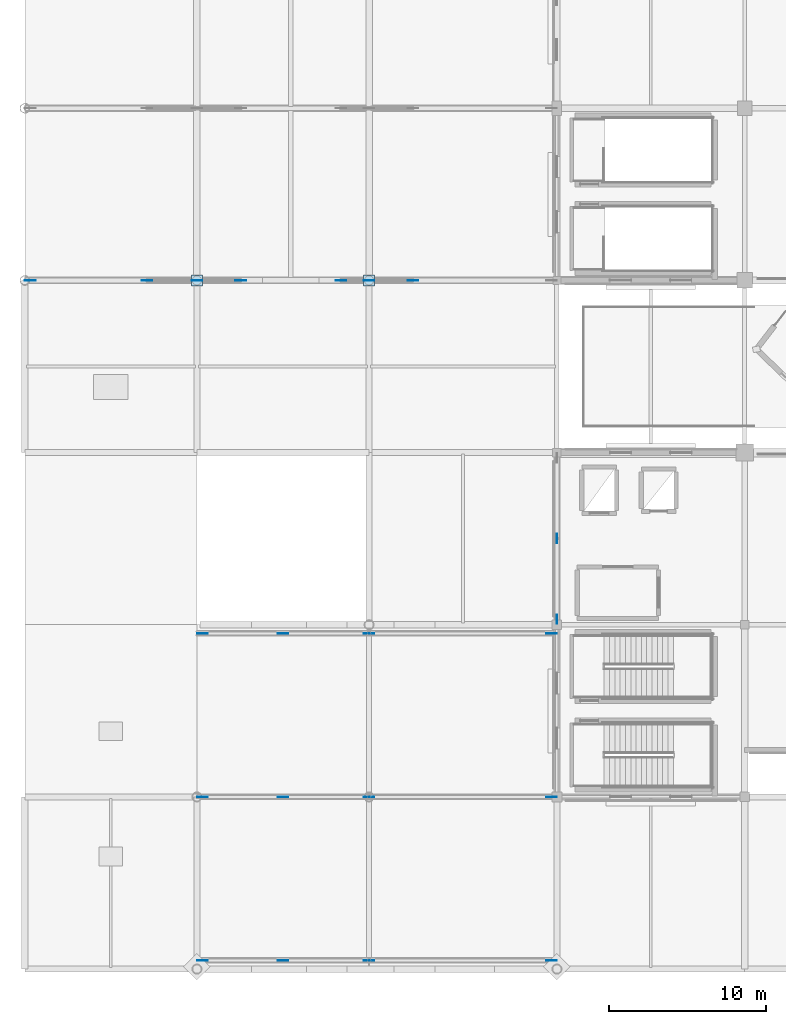
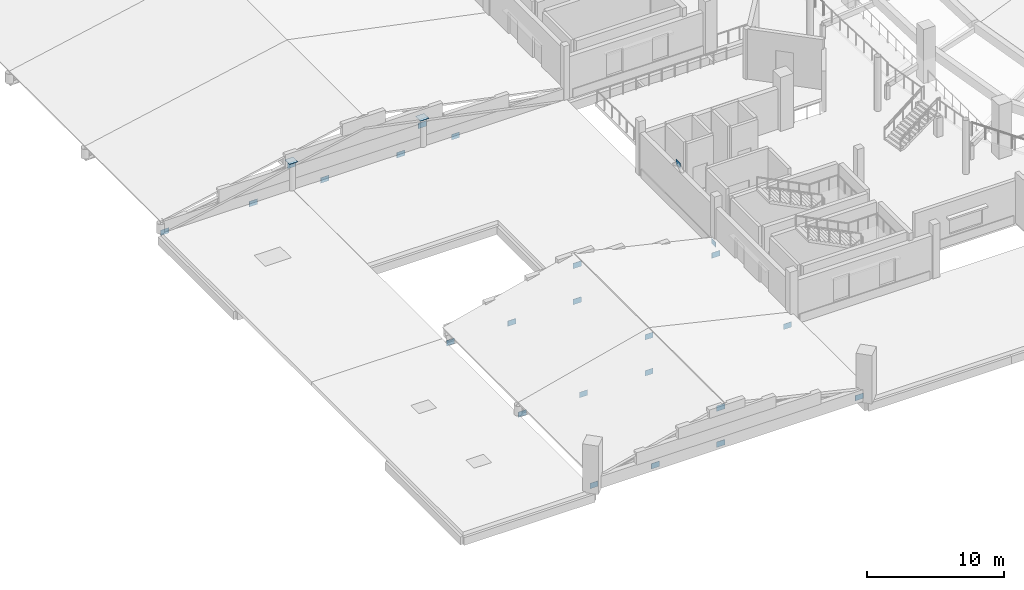
# One storey, part 38 of 77: 26 plates.
"""IFC4 building model written with IfcOpenShell, lengths in metres."""

from ifc_helpers import new_model, si_unit, direction, frame, origin, origin_2d, place, context, subcontext, project, spatial, rectangle, extrude, material, layer, layer_set, type_object, element, save


model = new_model("IFC4")

# Units and contexts
model_context = context("Model", 3, precision=1e-05, world=origin(), true_north=direction((0.0, 1.0)))
body_context = subcontext(model_context, "Body", "Model", "MODEL_VIEW")
ifc_project = project(units=[si_unit("LENGTHUNIT", "METRE"), si_unit("AREAUNIT", "SQUARE_METRE"), si_unit("VOLUMEUNIT", "CUBIC_METRE"), si_unit("PLANEANGLEUNIT", "RADIAN"), si_unit("MASSUNIT", "GRAM", prefix="KILO")], contexts=[model_context])

# Site, building, storey
site_placement = place(None, origin())
site = spatial("IfcSite", under=ifc_project, at=site_placement, CompositionType="ELEMENT")
building_placement = place(site_placement, origin())
building = spatial("IfcBuilding", under=site, at=building_placement, Name="Luwafu Chhajja Arena", CompositionType="ELEMENT")
storey_placement = place(building_placement, frame((0.0, 0.0, 14.699951171875)))
storey = spatial("IfcBuildingStorey", under=building, at=storey_placement, Name="L03", CompositionType="ELEMENT", Elevation=14.699951171875)

# Plates
ifc_material = material(Name="Steel S355", Category="steel")
ifc_layer_1 = layer(ifc_material, 0.031982421875, Name="Steel S355")
ifc_layer_set_1 = layer_set([ifc_layer_1], Name="Steel S355")
plate_type_1 = type_object("IfcPlateType", Name="Atrium Column Base Plate BP-2", PredefinedType="USERDEFINED", material=ifc_layer_set_1)
for number, where, z_axis, x_axis, name in (
    (1, (11.0, 44.0, 2.4501953125), (0.0, 0.0, 1.0), (1.0, 0.0, 0.0), "Warm-Up Spine Column Cap Plate BP-2 G1/E"),
    (2, (22.0, 44.0, 2.4501953125), (0.0, 0.0, 1.0), (1.0, 0.0, 0.0), "Warm-Up Spine Column Cap Plate BP-2 G2/E"),
):
    element("IfcPlate", number, at=place(storey_placement, frame(where, z_axis=z_axis, x_axis=x_axis)), inside=storey, type_object=plate_type_1, Name=name, ObjectType="BASE PLATE", PredefinedType="USERDEFINED", context=body_context, shape_type="SweptSolid", body=[
        extrude(rectangle(XDim=0.699951171875, YDim=0.699951171875, at=origin_2d()), origin(), (0.0, 0.0, 1.0), 0.031982421875),
    ])
ifc_layer_2 = layer(ifc_material, 0.02197265625, Name="Steel S355")
ifc_layer_set_2 = layer_set([ifc_layer_2], Name="Steel S355")
plate_type_2 = type_object("IfcPlateType", Name="Lateral Brace Gusset Plate BN-1", PredefinedType="USERDEFINED", material=ifc_layer_set_2)
for number, where, z_axis, x_axis, name in (
    (3, (34.0, 27.5, 3.93505859375), (0.0, 0.0, 1.0), (1.0, 0.0, 0.0), "L03 Chevron Apex Gusset Plate BN-1 05"),
    (4, (34.0, 22.35009765625, 0.02490234375), (0.0, 0.0, 1.0), (1.0, 0.0, 0.0), "L03 Brace Base Gusset BN-1 05A"),
):
    element("IfcPlate", number, at=place(storey_placement, frame(where, z_axis=z_axis, x_axis=x_axis)), inside=storey, type_object=plate_type_2, Name=name, ObjectType="GUSSET PLATE", PredefinedType="USERDEFINED", context=body_context, shape_type="SweptSolid", body=[
        extrude(rectangle(XDim=0.02197265625, YDim=0.60009765625, at=origin_2d()), origin(), (0.0, 0.0, 1.0), 0.449951171875),
    ])
ifc_layer_3 = layer(ifc_material, 0.02587890625, Name="Steel S355")
ifc_layer_set_3 = layer_set([ifc_layer_3], Name="Steel S355")
plate_type_3 = type_object("IfcPlateType", Name="Warm-Up Truss Node Gusset Plate BN-2", PredefinedType="USERDEFINED", material=ifc_layer_set_3)
for number, where, z_axis, x_axis, name in (
    (5, (0.35009765625, 44.0, -0.33984375), (0.0, 0.0, 1.0), (1.0, 0.0, 0.0), "Warm-Up Truss Node Gusset BN-2 01-1"),
    (6, (7.800048828125, 44.0, -0.389892578125), (0.0, 0.0, 1.0), (1.0, 0.0, 0.0), "Warm-Up Truss Node Gusset BN-2 01-2"),
    (7, (11.0, 44.0, 1.8701171875), (0.0, 0.0, 1.0), (1.0, 0.0, 0.0), "Warm-Up Truss Node Gusset BN-2 01-3"),
    (8, (13.800048828125, 44.0, -0.389892578125), (0.0, 0.0, 1.0), (1.0, 0.0, 0.0), "Warm-Up Truss Node Gusset BN-2 01-4"),
    (9, (20.199951171875, 44.0, -0.389892578125), (0.0, 0.0, 1.0), (1.0, 0.0, 0.0), "Warm-Up Truss Node Gusset BN-2 01-5"),
    (10, (22.0, 44.0, 1.580078125), (0.0, 0.0, 1.0), (1.0, 0.0, 0.0), "Warm-Up Truss Node Gusset BN-2 01-6"),
    (11, (24.800048828125, 44.0, -0.389892578125), (0.0, 0.0, 1.0), (1.0, 0.0, 0.0), "Warm-Up Truss Node Gusset BN-2 01-7"),
    (12, (11.35009765625, 0.550048828125, -0.33984375), (0.0, 0.0, 1.0), (1.0, 0.0, 0.0), "Pishtaq Truss Node Gusset BN-2 0-1"),
    (13, (16.5, 0.550048828125, -0.389892578125), (0.0, 0.0, 1.0), (1.0, 0.0, 0.0), "Pishtaq Truss Node Gusset BN-2 0-2"),
    (14, (22.0, 0.550048828125, -0.389892578125), (0.0, 0.0, 1.0), (1.0, 0.0, 0.0), "Pishtaq Truss Node Gusset BN-2 0-3"),
    (15, (22.0, 0.550048828125, 2.81005859375), (0.0, 0.0, 1.0), (1.0, 0.0, 0.0), "Pishtaq Truss Node Gusset BN-2 0-4"),
    (16, (33.64990234375, 0.550048828125, -0.33984375), (0.0, 0.0, 1.0), (1.0, 0.0, 0.0), "Pishtaq Truss Node Gusset BN-2 0-5"),
    (17, (11.35009765625, 11.0, -0.33984375), (0.0, 0.0, 1.0), (1.0, 0.0, 0.0), "Pishtaq Truss Node Gusset BN-2 1-1"),
    (18, (16.5, 11.0, -0.389892578125), (0.0, 0.0, 1.0), (1.0, 0.0, 0.0), "Pishtaq Truss Node Gusset BN-2 1-2"),
    (19, (22.0, 11.0, -0.389892578125), (0.0, 0.0, 1.0), (1.0, 0.0, 0.0), "Pishtaq Truss Node Gusset BN-2 1-3"),
    (20, (22.0, 11.0, 2.81005859375), (0.0, 0.0, 1.0), (1.0, 0.0, 0.0), "Pishtaq Truss Node Gusset BN-2 1-4"),
    (21, (33.64990234375, 11.0, -0.33984375), (0.0, 0.0, 1.0), (1.0, 0.0, 0.0), "Pishtaq Truss Node Gusset BN-2 1-5"),
    (22, (11.35009765625, 21.449951171875, -0.33984375), (0.0, 0.0, 1.0), (1.0, 0.0, 0.0), "Pishtaq Truss Node Gusset BN-2 2-1"),
    (23, (16.5, 21.449951171875, -0.389892578125), (0.0, 0.0, 1.0), (1.0, 0.0, 0.0), "Pishtaq Truss Node Gusset BN-2 2-2"),
    (24, (22.0, 21.449951171875, -0.389892578125), (0.0, 0.0, 1.0), (1.0, 0.0, 0.0), "Pishtaq Truss Node Gusset BN-2 2-3"),
    (25, (22.0, 21.449951171875, 2.81005859375), (0.0, 0.0, 1.0), (1.0, 0.0, 0.0), "Pishtaq Truss Node Gusset BN-2 2-4"),
    (26, (33.64990234375, 21.449951171875, -0.33984375), (0.0, 0.0, 1.0), (1.0, 0.0, 0.0), "Pishtaq Truss Node Gusset BN-2 2-5"),
):
    element("IfcPlate", number, at=place(storey_placement, frame(where, z_axis=z_axis, x_axis=x_axis)), inside=storey, type_object=plate_type_3, Name=name, ObjectType="GUSSET PLATE", PredefinedType="USERDEFINED", context=body_context, shape_type="SweptSolid", body=[
        extrude(rectangle(XDim=0.679931640625, YDim=0.02587890625, at=origin_2d()), origin(), (0.0, 0.0, 1.0), 0.47998046875),
    ])

save(model, "model.ifc")
